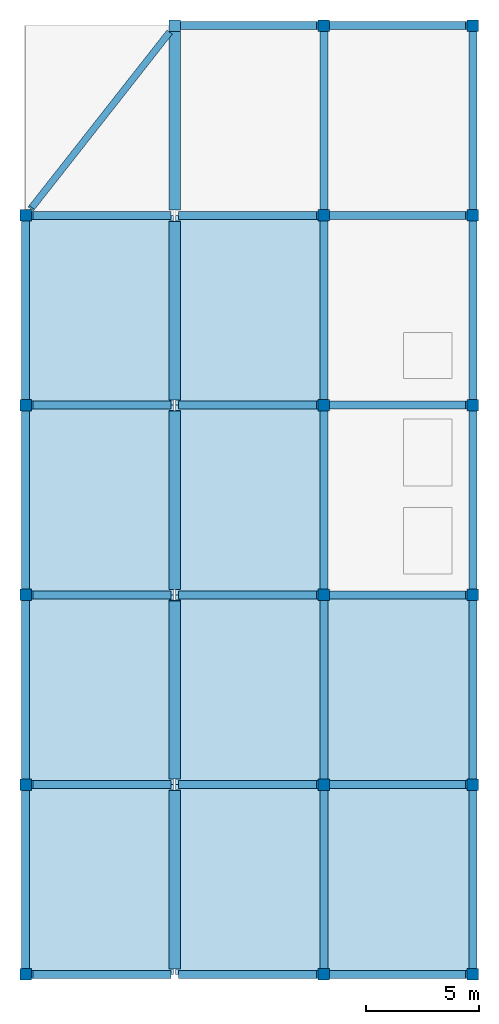
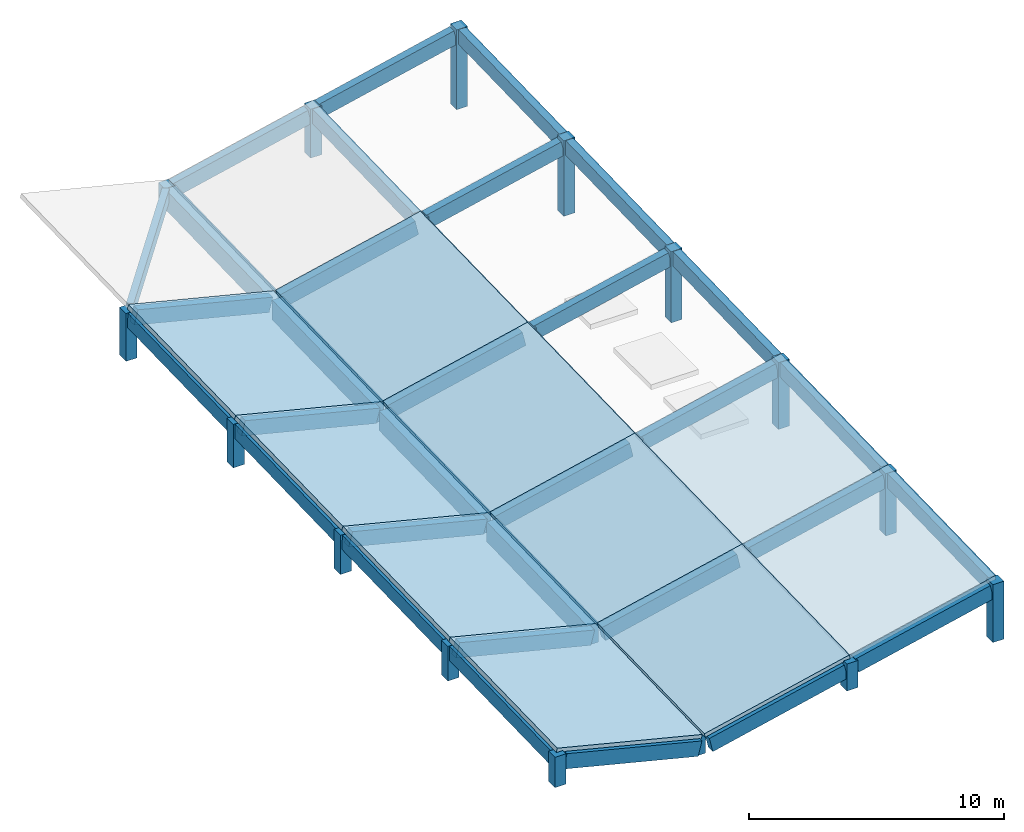
# One storey, part 1 of 2: 37 beams, 18 columns, 10 slabs.
"""IFC4 building model written with IfcOpenShell, lengths in metres."""

from ifc_helpers import new_model, si_unit, direction, frame, origin, origin_2d, place, context, subcontext, project, spatial, polyline, rectangle, outline, extrude, material, layer, layer_set, material_profile, profile_set, type_object, element, save


model = new_model("IFC4")

# Units and contexts
model_context = context("Model", 3, precision=1e-05, world=origin(), true_north=direction((0.0, 1.0)))
body_context = subcontext(model_context, "Body", "Model", "MODEL_VIEW")
ifc_project = project(units=[si_unit("LENGTHUNIT", "METRE"), si_unit("AREAUNIT", "SQUARE_METRE"), si_unit("VOLUMEUNIT", "CUBIC_METRE"), si_unit("PLANEANGLEUNIT", "RADIAN"), si_unit("MASSUNIT", "GRAM", prefix="KILO")], contexts=[model_context])

# Site, building, storey
site_placement = place(None, origin())
site = spatial("IfcSite", under=ifc_project, at=site_placement, CompositionType="ELEMENT")
building_placement = place(site_placement, origin())
building = spatial("IfcBuilding", under=site, at=building_placement, Name="Qaldarim Faculty of Natural and Applied Sciences", CompositionType="ELEMENT")
storey_placement = place(building_placement, frame((0.0, 0.0, 51.0)))
storey = spatial("IfcBuildingStorey", under=building, at=storey_placement, Name="RF", CompositionType="ELEMENT", Elevation=51.0)

# Columns
ifc_material_1 = material(Name="Concrete C50/60", Category="concrete")
ifc_material_profile_1 = material_profile(ifc_material_1, rectangle(XDim=0.5, YDim=0.5, at=origin_2d()), Name="RC-C500x500")
ifc_profile_set_1 = profile_set([ifc_material_profile_1], Name="Concrete C50/60")
column_type = type_object("IfcColumnType", Name="Column-RC500x500", PredefinedType="COLUMN", material=ifc_profile_set_1)
column_1_placement = place(storey_placement, frame((158.39990234375, 0.0, 0.0), z_axis=(0.0, 0.0, 1.0), x_axis=(1.0, 0.0, 0.0)))
element("IfcColumn", 1, at=column_1_placement, inside=storey, type_object=column_type, Name="Column X25/Y01 RF", PredefinedType="COLUMN", context=body_context, shape_type="SweptSolid", body=[
    extrude(rectangle(XDim=0.5, YDim=0.5, at=origin_2d()), origin(), (0.0, 0.0, 1.0), 1.449951171875),
])
column_2_placement = place(storey_placement, frame((158.39990234375, 8.39990234375, 0.0), z_axis=(0.0, 0.0, 1.0), x_axis=(1.0, 0.0, 0.0)))
element("IfcColumn", 2, at=column_2_placement, inside=storey, type_object=column_type, Name="Column X25/Y02 RF", PredefinedType="COLUMN", context=body_context, shape_type="SweptSolid", body=[
    extrude(rectangle(XDim=0.5, YDim=0.5, at=origin_2d()), origin(), (0.0, 0.0, 1.0), 1.659912109375),
])
column_3_placement = place(storey_placement, frame((158.39990234375, 16.800048828125, 0.0), z_axis=(0.0, 0.0, 1.0), x_axis=(1.0, 0.0, 0.0)))
element("IfcColumn", 3, at=column_3_placement, inside=storey, type_object=column_type, Name="Column X25/Y03 RF", PredefinedType="COLUMN", context=body_context, shape_type="SweptSolid", body=[
    extrude(rectangle(XDim=0.5, YDim=0.5, at=origin_2d()), origin(), (0.0, 0.0, 1.0), 1.8701171875),
])
column_4_placement = place(storey_placement, frame((158.39990234375, 25.199951171875, 0.0), z_axis=(0.0, 0.0, 1.0), x_axis=(1.0, 0.0, 0.0)))
element("IfcColumn", 4, at=column_4_placement, inside=storey, type_object=column_type, Name="Column X25/Y04 RF", PredefinedType="COLUMN", context=body_context, shape_type="SweptSolid", body=[
    extrude(rectangle(XDim=0.5, YDim=0.5, at=origin_2d()), origin(), (0.0, 0.0, 1.0), 2.080078125),
])
column_5_placement = place(storey_placement, frame((158.39990234375, 33.60009765625, 0.0), z_axis=(0.0, 0.0, 1.0), x_axis=(1.0, 0.0, 0.0)))
element("IfcColumn", 5, at=column_5_placement, inside=storey, type_object=column_type, Name="Column X25/Y05 RF", PredefinedType="COLUMN", context=body_context, shape_type="SweptSolid", body=[
    extrude(rectangle(XDim=0.5, YDim=0.5, at=origin_2d()), origin(), (0.0, 0.0, 1.0), 2.2900390625),
])
column_6_placement = place(storey_placement, frame((165.0, 42.0, 0.0), z_axis=(0.0, 0.0, 1.0), x_axis=(1.0, 0.0, 0.0)))
element("IfcColumn", 6, at=column_6_placement, inside=storey, type_object=column_type, Name="Column X26/Y06 RF", PredefinedType="COLUMN", context=body_context, shape_type="SweptSolid", body=[
    extrude(rectangle(XDim=0.5, YDim=0.5, at=origin_2d()), origin(), (0.0, 0.0, 1.0), 0.85009765625),
])
column_7_placement = place(storey_placement, frame((171.60009765625, 0.0, 0.0), z_axis=(0.0, 0.0, 1.0), x_axis=(1.0, 0.0, 0.0)))
element("IfcColumn", 7, at=column_7_placement, inside=storey, type_object=column_type, Name="Column X27/Y01 RF", PredefinedType="COLUMN", context=body_context, shape_type="SweptSolid", body=[
    extrude(rectangle(XDim=0.5, YDim=0.5, at=origin_2d()), origin(), (0.0, 0.0, 1.0), 1.284912109375),
])
column_8_placement = place(storey_placement, frame((171.60009765625, 8.39990234375, 0.0), z_axis=(0.0, 0.0, 1.0), x_axis=(1.0, 0.0, 0.0)))
element("IfcColumn", 8, at=column_8_placement, inside=storey, type_object=column_type, Name="Column X27/Y02 RF", PredefinedType="COLUMN", context=body_context, shape_type="SweptSolid", body=[
    extrude(rectangle(XDim=0.5, YDim=0.5, at=origin_2d()), origin(), (0.0, 0.0, 1.0), 1.4951171875),
])
column_9_placement = place(storey_placement, frame((171.60009765625, 16.800048828125, 0.0), z_axis=(0.0, 0.0, 1.0), x_axis=(1.0, 0.0, 0.0)))
element("IfcColumn", 9, at=column_9_placement, inside=storey, type_object=column_type, Name="Column X27/Y03 RF", PredefinedType="COLUMN", context=body_context, shape_type="SweptSolid", body=[
    extrude(rectangle(XDim=0.5, YDim=0.5, at=origin_2d()), origin(), (0.0, 0.0, 1.0), 1.705078125),
])
column_10_placement = place(storey_placement, frame((171.60009765625, 25.199951171875, 0.0), z_axis=(0.0, 0.0, 1.0), x_axis=(1.0, 0.0, 0.0)))
element("IfcColumn", 10, at=column_10_placement, inside=storey, type_object=column_type, Name="Column X27/Y04 RF", PredefinedType="COLUMN", context=body_context, shape_type="SweptSolid", body=[
    extrude(rectangle(XDim=0.5, YDim=0.5, at=origin_2d()), origin(), (0.0, 0.0, 1.0), 1.9150390625),
])
column_11_placement = place(storey_placement, frame((171.60009765625, 33.60009765625, 0.0), z_axis=(0.0, 0.0, 1.0), x_axis=(1.0, 0.0, 0.0)))
element("IfcColumn", 11, at=column_11_placement, inside=storey, type_object=column_type, Name="Column X27/Y05 RF", PredefinedType="COLUMN", context=body_context, shape_type="SweptSolid", body=[
    extrude(rectangle(XDim=0.5, YDim=0.5, at=origin_2d()), origin(), (0.0, 0.0, 1.0), 2.125),
])
column_12_placement = place(storey_placement, frame((171.60009765625, 42.0, 0.0), z_axis=(0.0, 0.0, 1.0), x_axis=(1.0, 0.0, 0.0)))
element("IfcColumn", 12, at=column_12_placement, inside=storey, type_object=column_type, Name="Column X27/Y06 RF", PredefinedType="COLUMN", context=body_context, shape_type="SweptSolid", body=[
    extrude(rectangle(XDim=0.5, YDim=0.5, at=origin_2d()), origin(), (0.0, 0.0, 1.0), 2.3349609375),
])
column_13_placement = place(storey_placement, frame((178.199951171875, 0.0, 0.0), z_axis=(0.0, 0.0, 1.0), x_axis=(1.0, 0.0, 0.0)))
element("IfcColumn", 13, at=column_13_placement, inside=storey, type_object=column_type, Name="Column X28/Y01 RF", PredefinedType="COLUMN", context=body_context, shape_type="SweptSolid", body=[
    extrude(rectangle(XDim=0.5, YDim=0.5, at=origin_2d()), origin(), (0.0, 0.0, 1.0), 2.77001953125),
])
column_14_placement = place(storey_placement, frame((178.199951171875, 8.39990234375, 0.0), z_axis=(0.0, 0.0, 1.0), x_axis=(1.0, 0.0, 0.0)))
element("IfcColumn", 14, at=column_14_placement, inside=storey, type_object=column_type, Name="Column X28/Y02 RF", PredefinedType="COLUMN", context=body_context, shape_type="SweptSolid", body=[
    extrude(rectangle(XDim=0.5, YDim=0.5, at=origin_2d()), origin(), (0.0, 0.0, 1.0), 2.97998046875),
])
column_15_placement = place(storey_placement, frame((178.199951171875, 16.800048828125, 0.0), z_axis=(0.0, 0.0, 1.0), x_axis=(1.0, 0.0, 0.0)))
element("IfcColumn", 15, at=column_15_placement, inside=storey, type_object=column_type, Name="Column X28/Y03 RF", PredefinedType="COLUMN", context=body_context, shape_type="SweptSolid", body=[
    extrude(rectangle(XDim=0.5, YDim=0.5, at=origin_2d()), origin(), (0.0, 0.0, 1.0), 3.18994140625),
])
column_16_placement = place(storey_placement, frame((178.199951171875, 25.199951171875, 0.0), z_axis=(0.0, 0.0, 1.0), x_axis=(1.0, 0.0, 0.0)))
element("IfcColumn", 16, at=column_16_placement, inside=storey, type_object=column_type, Name="Column X28/Y04 RF", PredefinedType="COLUMN", context=body_context, shape_type="SweptSolid", body=[
    extrude(rectangle(XDim=0.5, YDim=0.5, at=origin_2d()), origin(), (0.0, 0.0, 1.0), 3.39990234375),
])
column_17_placement = place(storey_placement, frame((178.199951171875, 33.60009765625, 0.0), z_axis=(0.0, 0.0, 1.0), x_axis=(1.0, 0.0, 0.0)))
element("IfcColumn", 17, at=column_17_placement, inside=storey, type_object=column_type, Name="Column X28/Y05 RF", PredefinedType="COLUMN", context=body_context, shape_type="SweptSolid", body=[
    extrude(rectangle(XDim=0.5, YDim=0.5, at=origin_2d()), origin(), (0.0, 0.0, 1.0), 3.610107421875),
])
column_18_placement = place(storey_placement, frame((178.199951171875, 42.0, 0.0), z_axis=(0.0, 0.0, 1.0), x_axis=(1.0, 0.0, 0.0)))
element("IfcColumn", 18, at=column_18_placement, inside=storey, type_object=column_type, Name="Column X28/Y06 RF", PredefinedType="COLUMN", context=body_context, shape_type="SweptSolid", body=[
    extrude(rectangle(XDim=0.5, YDim=0.5, at=origin_2d()), origin(), (0.0, 0.0, 1.0), 3.820068359375),
])

# Beams
ifc_material_2 = material(Name="Concrete C40/50", Category="concrete")
ifc_material_profile_2 = material_profile(ifc_material_2, rectangle(XDim=0.35009765625, YDim=0.699951171875, at=origin_2d()), Name="RC-B350x700")
ifc_profile_set_2 = profile_set([ifc_material_profile_2], Name="Concrete C40/50")
beam_type_1 = type_object("IfcBeamType", Name="PrimaryGirder-RC350x700", PredefinedType="BEAM", material=ifc_profile_set_2)
beam_1_placement = place(storey_placement, frame((158.64990234375, 0.0, 1.034912109375), z_axis=(0.970147067929, 0.0, -0.242517353169), x_axis=(0.0, 1.0, 0.0)))
element("IfcBeam", 19, at=beam_1_placement, inside=storey, type_object=beam_type_1, Name="Sloped crown roof rafter X25-X26/Y01", PredefinedType="BEAM", context=body_context, shape_type="SweptSolid", body=[
    extrude(rectangle(XDim=0.35009765625, YDim=0.699951171875, at=origin_2d()), origin(), (0.0, 0.0, 1.0), 6.287841796875),
])
beam_2_placement = place(storey_placement, frame((165.25, 0.0, -0.4951171875), z_axis=(0.975524815486, 0.0, 0.219889368479), x_axis=(0.0, 1.0, 0.0)))
element("IfcBeam", 20, at=beam_2_placement, inside=storey, type_object=beam_type_1, Name="Sloped crown roof rafter X26-X27/Y01", PredefinedType="BEAM", context=body_context, shape_type="SweptSolid", body=[
    extrude(rectangle(XDim=0.35009765625, YDim=0.699951171875, at=origin_2d()), origin(), (0.0, 0.0, 1.0), 6.253173828125),
])
beam_3_placement = place(storey_placement, frame((171.85009765625, 0.0, 0.989990234375), z_axis=(0.975522927604, 0.0, 0.219897743777), x_axis=(0.0, 1.0, 0.0)))
element("IfcBeam", 21, at=beam_3_placement, inside=storey, type_object=beam_type_1, Name="Sloped crown roof rafter X27-X28/Y01", PredefinedType="BEAM", context=body_context, shape_type="SweptSolid", body=[
    extrude(rectangle(XDim=0.35009765625, YDim=0.699951171875, at=origin_2d()), origin(), (0.0, 0.0, 1.0), 6.2529296875),
])
beam_4_placement = place(storey_placement, frame((158.64990234375, 8.39990234375, 1.2451171875), z_axis=(0.97013793206, 0.0, -0.242553896645), x_axis=(0.0, 1.0, 0.0)))
element("IfcBeam", 22, at=beam_4_placement, inside=storey, type_object=beam_type_1, Name="Sloped crown roof rafter X25-X26/Y02", PredefinedType="BEAM", context=body_context, shape_type="SweptSolid", body=[
    extrude(rectangle(XDim=0.35009765625, YDim=0.699951171875, at=origin_2d()), origin(), (0.0, 0.0, 1.0), 6.287841796875),
])
beam_5_placement = place(storey_placement, frame((165.25, 8.39990234375, -0.284912109375), z_axis=(0.975524815486, 0.0, 0.219889368479), x_axis=(0.0, 1.0, 0.0)))
element("IfcBeam", 23, at=beam_5_placement, inside=storey, type_object=beam_type_1, Name="Sloped crown roof rafter X26-X27/Y02", PredefinedType="BEAM", context=body_context, shape_type="SweptSolid", body=[
    extrude(rectangle(XDim=0.35009765625, YDim=0.699951171875, at=origin_2d()), origin(), (0.0, 0.0, 1.0), 6.253173828125),
])
beam_6_placement = place(storey_placement, frame((171.85009765625, 8.39990234375, 1.199951171875), z_axis=(0.975522927604, 0.0, 0.219897743777), x_axis=(0.0, 1.0, 0.0)))
element("IfcBeam", 24, at=beam_6_placement, inside=storey, type_object=beam_type_1, Name="Sloped crown roof rafter X27-X28/Y02", PredefinedType="BEAM", context=body_context, shape_type="SweptSolid", body=[
    extrude(rectangle(XDim=0.35009765625, YDim=0.699951171875, at=origin_2d()), origin(), (0.0, 0.0, 1.0), 6.2529296875),
])
beam_7_placement = place(storey_placement, frame((158.64990234375, 16.800048828125, 1.4599609375), z_axis=(0.969954961904, 0.0, -0.243284549198), x_axis=(0.0, 1.0, 0.0)))
element("IfcBeam", 25, at=beam_7_placement, inside=storey, type_object=beam_type_1, Name="Sloped crown roof rafter X25-X26/Y03", PredefinedType="BEAM", context=body_context, shape_type="SweptSolid", body=[
    extrude(rectangle(XDim=0.35009765625, YDim=0.699951171875, at=origin_2d()), origin(), (0.0, 0.0, 1.0), 6.2890625),
])
beam_8_placement = place(storey_placement, frame((165.25, 16.800048828125, -0.074951171875), z_axis=(0.975524815486, 0.0, 0.219889368479), x_axis=(0.0, 1.0, 0.0)))
element("IfcBeam", 26, at=beam_8_placement, inside=storey, type_object=beam_type_1, Name="Sloped crown roof rafter X26-X27/Y03", PredefinedType="BEAM", context=body_context, shape_type="SweptSolid", body=[
    extrude(rectangle(XDim=0.35009765625, YDim=0.699951171875, at=origin_2d()), origin(), (0.0, 0.0, 1.0), 6.253173828125),
])
beam_9_placement = place(storey_placement, frame((171.85009765625, 16.800048828125, 1.409912109375), z_axis=(0.975522927604, 0.0, 0.219897743777), x_axis=(0.0, 1.0, 0.0)))
element("IfcBeam", 27, at=beam_9_placement, inside=storey, type_object=beam_type_1, Name="Sloped crown roof rafter X27-X28/Y03", PredefinedType="BEAM", context=body_context, shape_type="SweptSolid", body=[
    extrude(rectangle(XDim=0.35009765625, YDim=0.699951171875, at=origin_2d()), origin(), (0.0, 0.0, 1.0), 6.2529296875),
])
beam_10_placement = place(storey_placement, frame((158.64990234375, 25.199951171875, 1.669921875), z_axis=(0.969954961904, 0.0, -0.243284549198), x_axis=(0.0, 1.0, 0.0)))
element("IfcBeam", 28, at=beam_10_placement, inside=storey, type_object=beam_type_1, Name="Sloped crown roof rafter X25-X26/Y04", PredefinedType="BEAM", context=body_context, shape_type="SweptSolid", body=[
    extrude(rectangle(XDim=0.35009765625, YDim=0.699951171875, at=origin_2d()), origin(), (0.0, 0.0, 1.0), 6.2890625),
])
beam_11_placement = place(storey_placement, frame((165.25, 25.199951171875, 0.135009765625), z_axis=(0.975524815486, 0.0, 0.219889368479), x_axis=(0.0, 1.0, 0.0)))
element("IfcBeam", 29, at=beam_11_placement, inside=storey, type_object=beam_type_1, Name="Sloped crown roof rafter X26-X27/Y04", PredefinedType="BEAM", context=body_context, shape_type="SweptSolid", body=[
    extrude(rectangle(XDim=0.35009765625, YDim=0.699951171875, at=origin_2d()), origin(), (0.0, 0.0, 1.0), 6.253173828125),
])
beam_12_placement = place(storey_placement, frame((171.85009765625, 25.199951171875, 1.6201171875), z_axis=(0.975522927604, 0.0, 0.219897743777), x_axis=(0.0, 1.0, 0.0)))
element("IfcBeam", 30, at=beam_12_placement, inside=storey, type_object=beam_type_1, Name="Sloped crown roof rafter X27-X28/Y04", PredefinedType="BEAM", context=body_context, shape_type="SweptSolid", body=[
    extrude(rectangle(XDim=0.35009765625, YDim=0.699951171875, at=origin_2d()), origin(), (0.0, 0.0, 1.0), 6.2529296875),
])
beam_13_placement = place(storey_placement, frame((158.64990234375, 33.60009765625, 1.8798828125), z_axis=(0.96996412184, 0.0, -0.243248026393), x_axis=(0.0, 1.0, 0.0)))
element("IfcBeam", 31, at=beam_13_placement, inside=storey, type_object=beam_type_1, Name="Sloped crown roof rafter X25-X26/Y05", PredefinedType="BEAM", context=body_context, shape_type="SweptSolid", body=[
    extrude(rectangle(XDim=0.35009765625, YDim=0.699951171875, at=origin_2d()), origin(), (0.0, 0.0, 1.0), 6.2890625),
])
beam_14_placement = place(storey_placement, frame((165.25, 33.60009765625, 0.344970703125), z_axis=(0.975524815486, 0.0, 0.219889368479), x_axis=(0.0, 1.0, 0.0)))
element("IfcBeam", 32, at=beam_14_placement, inside=storey, type_object=beam_type_1, Name="Sloped crown roof rafter X26-X27/Y05", PredefinedType="BEAM", context=body_context, shape_type="SweptSolid", body=[
    extrude(rectangle(XDim=0.35009765625, YDim=0.699951171875, at=origin_2d()), origin(), (0.0, 0.0, 1.0), 6.253173828125),
])
beam_15_placement = place(storey_placement, frame((171.85009765625, 33.60009765625, 1.830078125), z_axis=(0.975522927604, 0.0, 0.219897743777), x_axis=(0.0, 1.0, 0.0)))
element("IfcBeam", 33, at=beam_15_placement, inside=storey, type_object=beam_type_1, Name="Sloped crown roof rafter X27-X28/Y05", PredefinedType="BEAM", context=body_context, shape_type="SweptSolid", body=[
    extrude(rectangle(XDim=0.35009765625, YDim=0.699951171875, at=origin_2d()), origin(), (0.0, 0.0, 1.0), 6.2529296875),
])
beam_16_placement = place(storey_placement, frame((165.25, 42.0, 0.554931640625), z_axis=(0.975524815486, 0.0, 0.219889368479), x_axis=(0.0, 1.0, 0.0)))
element("IfcBeam", 34, at=beam_16_placement, inside=storey, type_object=beam_type_1, Name="Sloped crown roof rafter X26-X27/Y06", PredefinedType="BEAM", context=body_context, shape_type="SweptSolid", body=[
    extrude(rectangle(XDim=0.35009765625, YDim=0.699951171875, at=origin_2d()), origin(), (0.0, 0.0, 1.0), 6.253173828125),
])
beam_17_placement = place(storey_placement, frame((171.85009765625, 42.0, 2.0400390625), z_axis=(0.975522927604, 0.0, 0.219897743777), x_axis=(0.0, 1.0, 0.0)))
element("IfcBeam", 35, at=beam_17_placement, inside=storey, type_object=beam_type_1, Name="Sloped crown roof rafter X27-X28/Y06", PredefinedType="BEAM", context=body_context, shape_type="SweptSolid", body=[
    extrude(rectangle(XDim=0.35009765625, YDim=0.699951171875, at=origin_2d()), origin(), (0.0, 0.0, 1.0), 6.2529296875),
])
beam_18_placement = place(storey_placement, frame((158.39990234375, 0.25, 1.10498046875), z_axis=(0.0, 0.999679840891, 0.025302484384), x_axis=(-1.0, 0.0, 0.0)))
element("IfcBeam", 36, at=beam_18_placement, inside=storey, type_object=beam_type_1, Name="Crown roof ridge/purlin beam X25/Y01-Y02", PredefinedType="BEAM", context=body_context, shape_type="SweptSolid", body=[
    extrude(rectangle(XDim=0.35009765625, YDim=0.699951171875, at=origin_2d()), origin(), (0.0, 0.0, 1.0), 7.90234375),
])
beam_19_placement = place(storey_placement, frame((158.39990234375, 8.64990234375, 1.31494140625), z_axis=(0.0, 0.999679860669, 0.025301702954), x_axis=(-1.0, 0.0, 0.0)))
element("IfcBeam", 37, at=beam_19_placement, inside=storey, type_object=beam_type_1, Name="Crown roof ridge/purlin beam X25/Y02-Y03", PredefinedType="BEAM", context=body_context, shape_type="SweptSolid", body=[
    extrude(rectangle(XDim=0.35009765625, YDim=0.699951171875, at=origin_2d()), origin(), (0.0, 0.0, 1.0), 7.902587890625),
])
beam_20_placement = place(storey_placement, frame((158.39990234375, 17.050048828125, 1.52490234375), z_axis=(0.0, 0.999679058961, 0.025333358933), x_axis=(-1.0, 0.0, 0.0)))
element("IfcBeam", 38, at=beam_20_placement, inside=storey, type_object=beam_type_1, Name="Crown roof ridge/purlin beam X25/Y03-Y04", PredefinedType="BEAM", context=body_context, shape_type="SweptSolid", body=[
    extrude(rectangle(XDim=0.35009765625, YDim=0.699951171875, at=origin_2d()), origin(), (0.0, 0.0, 1.0), 7.90234375),
])
beam_21_placement = place(storey_placement, frame((158.39990234375, 25.449951171875, 1.735107421875), z_axis=(0.0, 0.999679860669, 0.025301702954), x_axis=(-1.0, 0.0, 0.0)))
element("IfcBeam", 39, at=beam_21_placement, inside=storey, type_object=beam_type_1, Name="Crown roof ridge/purlin beam X25/Y04-Y05", PredefinedType="BEAM", context=body_context, shape_type="SweptSolid", body=[
    extrude(rectangle(XDim=0.35009765625, YDim=0.699951171875, at=origin_2d()), origin(), (0.0, 0.0, 1.0), 7.902587890625),
])
beam_22_placement = place(storey_placement, frame((171.60009765625, 0.25, 0.93994140625), z_axis=(0.0, 0.999679840891, 0.025302484384), x_axis=(-1.0, 0.0, 0.0)))
element("IfcBeam", 40, at=beam_22_placement, inside=storey, type_object=beam_type_1, Name="Crown roof ridge/purlin beam X27/Y01-Y02", PredefinedType="BEAM", context=body_context, shape_type="SweptSolid", body=[
    extrude(rectangle(XDim=0.35009765625, YDim=0.699951171875, at=origin_2d()), origin(), (0.0, 0.0, 1.0), 7.90234375),
])
beam_23_placement = place(storey_placement, frame((171.60009765625, 8.64990234375, 1.14990234375), z_axis=(0.0, 0.999679078787, 0.025332576551), x_axis=(-1.0, 0.0, 0.0)))
element("IfcBeam", 41, at=beam_23_placement, inside=storey, type_object=beam_type_1, Name="Crown roof ridge/purlin beam X27/Y02-Y03", PredefinedType="BEAM", context=body_context, shape_type="SweptSolid", body=[
    extrude(rectangle(XDim=0.35009765625, YDim=0.699951171875, at=origin_2d()), origin(), (0.0, 0.0, 1.0), 7.902587890625),
])
beam_24_placement = place(storey_placement, frame((171.60009765625, 17.050048828125, 1.360107421875), z_axis=(0.0, 0.999679840891, 0.025302484384), x_axis=(-1.0, 0.0, 0.0)))
element("IfcBeam", 42, at=beam_24_placement, inside=storey, type_object=beam_type_1, Name="Crown roof ridge/purlin beam X27/Y03-Y04", PredefinedType="BEAM", context=body_context, shape_type="SweptSolid", body=[
    extrude(rectangle(XDim=0.35009765625, YDim=0.699951171875, at=origin_2d()), origin(), (0.0, 0.0, 1.0), 7.90234375),
])
beam_25_placement = place(storey_placement, frame((171.60009765625, 25.449951171875, 1.570068359375), z_axis=(0.0, 0.999679860669, 0.025301702954), x_axis=(-1.0, 0.0, 0.0)))
element("IfcBeam", 43, at=beam_25_placement, inside=storey, type_object=beam_type_1, Name="Crown roof ridge/purlin beam X27/Y04-Y05", PredefinedType="BEAM", context=body_context, shape_type="SweptSolid", body=[
    extrude(rectangle(XDim=0.35009765625, YDim=0.699951171875, at=origin_2d()), origin(), (0.0, 0.0, 1.0), 7.902587890625),
])
for number, where, z_axis, x_axis, name in (
    (44, (171.60009765625, 33.85009765625, 1.780029296875), (0.0, 0.999679840891, 0.025302484384), (-1.0, 0.0, 0.0), "Crown roof ridge/purlin beam X27/Y05-Y06"),
    (45, (178.199951171875, 0.25, 2.425048828125), (0.0, 0.999679840891, 0.025302484384), (-1.0, 0.0, 0.0), "Crown roof ridge/purlin beam X28/Y01-Y02"),
):
    element("IfcBeam", number, at=place(storey_placement, frame(where, z_axis=z_axis, x_axis=x_axis)), inside=storey, type_object=beam_type_1, Name=name, PredefinedType="BEAM", context=body_context, shape_type="SweptSolid", body=[
        extrude(rectangle(XDim=0.35009765625, YDim=0.699951171875, at=origin_2d()), origin(), (0.0, 0.0, 1.0), 7.90234375),
    ])
beam_26_placement = place(storey_placement, frame((178.199951171875, 8.64990234375, 2.635009765625), z_axis=(0.0, 0.999679860669, 0.025301702954), x_axis=(-1.0, 0.0, 0.0)))
element("IfcBeam", 46, at=beam_26_placement, inside=storey, type_object=beam_type_1, Name="Crown roof ridge/purlin beam X28/Y02-Y03", PredefinedType="BEAM", context=body_context, shape_type="SweptSolid", body=[
    extrude(rectangle(XDim=0.35009765625, YDim=0.699951171875, at=origin_2d()), origin(), (0.0, 0.0, 1.0), 7.902587890625),
])
beam_27_placement = place(storey_placement, frame((178.199951171875, 17.050048828125, 2.844970703125), z_axis=(0.0, 0.999679840891, 0.025302484384), x_axis=(-1.0, 0.0, 0.0)))
element("IfcBeam", 47, at=beam_27_placement, inside=storey, type_object=beam_type_1, Name="Crown roof ridge/purlin beam X28/Y03-Y04", PredefinedType="BEAM", context=body_context, shape_type="SweptSolid", body=[
    extrude(rectangle(XDim=0.35009765625, YDim=0.699951171875, at=origin_2d()), origin(), (0.0, 0.0, 1.0), 7.90234375),
])
beam_28_placement = place(storey_placement, frame((178.199951171875, 25.449951171875, 3.054931640625), z_axis=(0.0, 0.999679860669, 0.025301702954), x_axis=(-1.0, 0.0, 0.0)))
element("IfcBeam", 48, at=beam_28_placement, inside=storey, type_object=beam_type_1, Name="Crown roof ridge/purlin beam X28/Y04-Y05", PredefinedType="BEAM", context=body_context, shape_type="SweptSolid", body=[
    extrude(rectangle(XDim=0.35009765625, YDim=0.699951171875, at=origin_2d()), origin(), (0.0, 0.0, 1.0), 7.902587890625),
])
beam_29_placement = place(storey_placement, frame((178.199951171875, 33.85009765625, 3.264892578125), z_axis=(0.0, 0.999679058961, 0.025333358933), x_axis=(-1.0, 0.0, 0.0)))
element("IfcBeam", 49, at=beam_29_placement, inside=storey, type_object=beam_type_1, Name="Crown roof ridge/purlin beam X28/Y05-Y06", PredefinedType="BEAM", context=body_context, shape_type="SweptSolid", body=[
    extrude(rectangle(XDim=0.35009765625, YDim=0.699951171875, at=origin_2d()), origin(), (0.0, 0.0, 1.0), 7.90234375),
])
ifc_material_profile_3 = material_profile(ifc_material_1, rectangle(XDim=0.5, YDim=0.949951171875, at=origin_2d()), Name="RC-EB500x950")
ifc_profile_set_3 = profile_set([ifc_material_profile_3], Name="Concrete C50/60")
beam_type_2 = type_object("IfcBeamType", Name="ShellRidgeBeam-RC500x950", PredefinedType="BEAM", material=ifc_profile_set_3)
beam_30_placement = place(storey_placement, frame((165.0, 0.25, -0.669921875), z_axis=(0.0, 0.999679840891, 0.025302484384), x_axis=(-1.0, 0.0, 0.0)))
element("IfcBeam", 50, at=beam_30_placement, inside=storey, type_object=beam_type_2, Name="Crown roof ridge/purlin beam X26/Y01-Y02", PredefinedType="BEAM", context=body_context, shape_type="SweptSolid", body=[
    extrude(rectangle(XDim=0.5, YDim=0.949951171875, at=origin_2d()), origin(), (0.0, 0.0, 1.0), 7.90234375),
])
beam_31_placement = place(storey_placement, frame((165.0, 8.64990234375, -0.4599609375), z_axis=(0.0, 0.999679860669, 0.025301702954), x_axis=(-1.0, 0.0, 0.0)))
element("IfcBeam", 51, at=beam_31_placement, inside=storey, type_object=beam_type_2, Name="Crown roof ridge/purlin beam X26/Y02-Y03", PredefinedType="BEAM", context=body_context, shape_type="SweptSolid", body=[
    extrude(rectangle(XDim=0.5, YDim=0.949951171875, at=origin_2d()), origin(), (0.0, 0.0, 1.0), 7.902587890625),
])
beam_32_placement = place(storey_placement, frame((165.0, 17.050048828125, -0.25), z_axis=(0.0, 0.999679840891, 0.025302484384), x_axis=(-1.0, 0.0, 0.0)))
element("IfcBeam", 52, at=beam_32_placement, inside=storey, type_object=beam_type_2, Name="Crown roof ridge/purlin beam X26/Y03-Y04", PredefinedType="BEAM", context=body_context, shape_type="SweptSolid", body=[
    extrude(rectangle(XDim=0.5, YDim=0.949951171875, at=origin_2d()), origin(), (0.0, 0.0, 1.0), 7.90234375),
])
beam_33_placement = place(storey_placement, frame((165.0, 25.449951171875, -0.0400390625), z_axis=(0.0, 0.999679860669, 0.025301702954), x_axis=(-1.0, 0.0, 0.0)))
element("IfcBeam", 53, at=beam_33_placement, inside=storey, type_object=beam_type_2, Name="Crown roof ridge/purlin beam X26/Y04-Y05", PredefinedType="BEAM", context=body_context, shape_type="SweptSolid", body=[
    extrude(rectangle(XDim=0.5, YDim=0.949951171875, at=origin_2d()), origin(), (0.0, 0.0, 1.0), 7.902587890625),
])
beam_34_placement = place(storey_placement, frame((165.0, 33.85009765625, 0.169921875), z_axis=(0.0, 0.999679058961, 0.025333358933), x_axis=(-1.0, 0.0, 0.0)))
element("IfcBeam", 54, at=beam_34_placement, inside=storey, type_object=beam_type_2, Name="Crown roof ridge/purlin beam X26/Y05-Y06", PredefinedType="BEAM", context=body_context, shape_type="SweptSolid", body=[
    extrude(rectangle(XDim=0.5, YDim=0.949951171875, at=origin_2d()), origin(), (0.0, 0.0, 1.0), 7.90234375),
])
ifc_material_3 = material(Name="Precast concrete C40/50", Category="concrete")
ifc_material_profile_4 = material_profile(ifc_material_3, rectangle(XDim=0.300048828125, YDim=0.60009765625, at=origin_2d()), Name="RC-SP300x600")
ifc_profile_set_4 = profile_set([ifc_material_profile_4], Name="Precast concrete C40/50")
beam_type_3 = type_object("IfcBeamType", Name="SpandrelBeam-RC300x600", PredefinedType="SPANDREL", material=ifc_profile_set_4)
beam_35_placement = place(storey_placement, frame((158.64990234375, 33.919921875, 1.93505859375), z_axis=(0.612470560527, 0.779131384229, -0.133544369397), x_axis=(-0.786173267669, 0.618006143337, 0.0)))
element("IfcBeam", 55, at=beam_35_placement, inside=storey, type_object=beam_type_3, Name="Sloped NW chamfer crown rafter", PredefinedType="SPANDREL", context=body_context, shape_type="SweptSolid", body=[
    extrude(rectangle(XDim=0.300048828125, YDim=0.60009765625, at=origin_2d()), origin(), (0.0, 0.0, 1.0), 9.959716796875),
])

# Slabs
ifc_layer = layer(ifc_material_2, 0.199951171875)
ifc_layer_set = layer_set([ifc_layer], Name="Concrete C40/50")
slab_type = type_object("IfcSlabType", Name="ObservatorySlopedRoofSlab-200", PredefinedType="ROOF", material=ifc_layer_set)
slab_1_placement = place(storey_placement, frame((158.351318359375, 0.0048828125, 1.455810546875), z_axis=(0.242464264471, -0.024256292458, 0.969857057886), x_axis=(0.970142502646, 4.25006e-07, -0.242535615032)))
element("IfcSlab", 56, at=slab_1_placement, inside=storey, type_object=slab_type, Name="Observatory folded butterfly roof panel X25Y01", PredefinedType="ROOF", context=body_context, shape_type="SweptSolid", body=[
    extrude(outline(polyline([(0.0, 0.0), (6.756890928747199, 6.938893903907228e-18), (6.70597149364877, 8.402371699521838), (-0.0509786478950685, 8.4023774446789), (0.0, 0.0)])), origin(), (0.0, 0.0, 1.0), 0.199951171875),
])
slab_2_placement = place(storey_placement, frame((158.351318359375, 8.40478515625, 1.666015625), z_axis=(0.242481350262, -0.024241396126, 0.969853158725), x_axis=(0.970138249199, 0.0, -0.242552628189)))
element("IfcSlab", 57, at=slab_2_placement, inside=storey, type_object=slab_type, Name="Observatory folded butterfly roof panel X25Y02", PredefinedType="ROOF", context=body_context, shape_type="SweptSolid", body=[
    extrude(outline(polyline([(0.0, 0.0), (6.756950142583463, 0.0), (6.7060235653758316, 8.40261572594912), (-0.050926577207630955, 8.40261572594912), (0.0, 0.0)])), origin(), (0.0, 0.0, 1.0), 0.199951171875),
])
slab_3_placement = place(storey_placement, frame((158.351318359375, 16.804931640625, 1.8759765625), z_axis=(0.242464264471, -0.024256292458, 0.969857057886), x_axis=(0.970142497644, -4.25003e-07, -0.24253563504)))
element("IfcSlab", 58, at=slab_3_placement, inside=storey, type_object=slab_type, Name="Observatory folded butterfly roof panel X25Y03", PredefinedType="ROOF", context=body_context, shape_type="SweptSolid", body=[
    extrude(outline(polyline([(0.0, 0.0), (6.75695014154628, 0.0), (6.705964349454945, 8.40237740133081), (-0.0509265792898116, 8.402371656224096), (0.0, 0.0)])), origin(), (0.0, 0.0, 1.0), 0.199951171875),
])
slab_4_placement = place(storey_placement, frame((158.351318359375, 25.204833984375, 2.0859375), z_axis=(0.242447352478, -0.024241608436, 0.969861652864), x_axis=(0.970146750831, 0.0, -0.24251862166)))
element("IfcSlab", 59, at=slab_4_placement, inside=storey, type_object=slab_type, Name="Observatory folded butterfly roof panel X25Y04", PredefinedType="ROOF", context=body_context, shape_type="SweptSolid", body=[
    extrude(outline(polyline([(0.0, 0.0), (6.75689092978439, 6.938893903907228e-18), (6.705971492619396, 8.40261576922046), (-0.050919437164995286, 8.40261576922046), (0.0, 0.0)])), origin(), (0.0, 0.0, 1.0), 0.199951171875),
])
slab_5_placement = place(storey_placement, frame((165.0888671875, 0.0048828125, -0.18505859375), z_axis=(-0.219455522832, -0.024392859521, 0.975317518505), x_axis=(0.975607808358, 4.32223e-07, 0.219520851562)))
element("IfcSlab", 60, at=slab_5_placement, inside=storey, type_object=slab_type, Name="Observatory folded butterfly roof panel X26Y01", PredefinedType="ROOF", context=body_context, shape_type="SweptSolid", body=[
    extrude(outline(polyline([(0.0, 0.0), (6.71909537098456, 0.0), (6.765189805411312, 8.402399554219787), (0.046148028384653816, 8.402405364222071), (0.0, 0.0)])), origin(), (0.0, 0.0, 1.0), 0.199951171875),
])
slab_6_placement = place(storey_placement, frame((165.0888671875, 8.40478515625, 0.025146484375), z_axis=(-0.21943831474, -0.024378083338, 0.975321759768), x_axis=(0.975611701453, 0.0, 0.219503548919)))
element("IfcSlab", 61, at=slab_6_placement, inside=storey, type_object=slab_type, Name="Observatory folded butterfly roof panel X26Y02", PredefinedType="ROOF", context=body_context, shape_type="SweptSolid", body=[
    extrude(outline(polyline([(0.0, 0.0), (6.719041778083983, 0.0), (6.765128948999609, 8.402643662973608), (0.046087170915627154, 8.402643662973608), (0.0, 0.0)])), origin(), (0.0, 0.0, 1.0), 0.199951171875),
])
slab_7_placement = place(storey_placement, frame((165.0888671875, 16.804931640625, 0.235107421875), z_axis=(-0.219438310949, -0.024378791458, 0.975321742921), x_axis=(0.975611701453, 0.0, 0.219503548919)))
element("IfcSlab", 62, at=slab_7_placement, inside=storey, type_object=slab_type, Name="Observatory folded butterfly roof panel X26Y03", PredefinedType="ROOF", context=body_context, shape_type="SweptSolid", body=[
    extrude(outline(polyline([(0.0, 0.0), (6.719041778083983, 0.0), (6.765128948999609, 8.402399594906779), (0.046087170915627154, 8.402399594906779), (0.0, 0.0)])), origin(), (0.0, 0.0, 1.0), 0.199951171875),
])
slab_8_placement = place(storey_placement, frame((165.0888671875, 25.204833984375, 0.445068359375), z_axis=(-0.21943831474, -0.024378083338, 0.975321759768), x_axis=(0.975611701453, 0.0, 0.219503548919)))
element("IfcSlab", 63, at=slab_8_placement, inside=storey, type_object=slab_type, Name="Observatory folded butterfly roof panel X26Y04", PredefinedType="ROOF", context=body_context, shape_type="SweptSolid", body=[
    extrude(outline(polyline([(0.0, 0.0), (6.719041778083983, 0.0), (6.765128948999609, 8.402643662973608), (0.046087170915627154, 8.402643662973608), (0.0, 0.0)])), origin(), (0.0, 0.0, 1.0), 0.199951171875),
])
slab_9_placement = place(storey_placement, frame((171.64404296875, 0.0048828125, 1.2900390625), z_axis=(-0.219432359669, -0.024378824906, 0.975323081049), x_axis=(0.975613040774, 0.0, 0.219497596049)))
element("IfcSlab", 64, at=slab_9_placement, inside=storey, type_object=slab_type, Name="Observatory folded butterfly roof panel X27Y01", PredefinedType="ROOF", context=body_context, shape_type="SweptSolid", body=[
    extrude(outline(polyline([(0.0, 0.0), (6.764827077739105, 6.938893903907228e-18), (6.810912998784521, 8.402399601762228), (0.046085921045415944, 8.402399601762227), (0.0, 0.0)])), origin(), (0.0, 0.0, 1.0), 0.199951171875),
])
slab_10_placement = place(storey_placement, frame((171.64404296875, 8.40478515625, 1.5), z_axis=(-0.21943236346, -0.024378116784, 0.975323097896), x_axis=(0.975613040774, 0.0, 0.219497596049)))
element("IfcSlab", 65, at=slab_10_placement, inside=storey, type_object=slab_type, Name="Observatory folded butterfly roof panel X27Y02", PredefinedType="ROOF", context=body_context, shape_type="SweptSolid", body=[
    extrude(outline(polyline([(0.0, 0.0), (6.764827077739105, 0.0), (6.810912998784521, 8.402643669828857), (0.046085921045415944, 8.402643669828857), (0.0, 0.0)])), origin(), (0.0, 0.0, 1.0), 0.199951171875),
])

save(model, "model.ifc")
